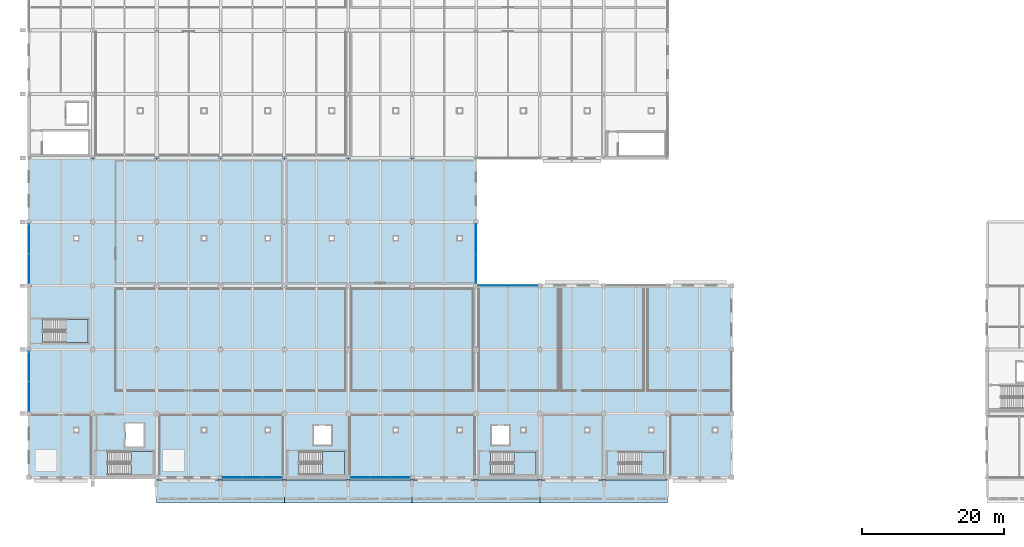
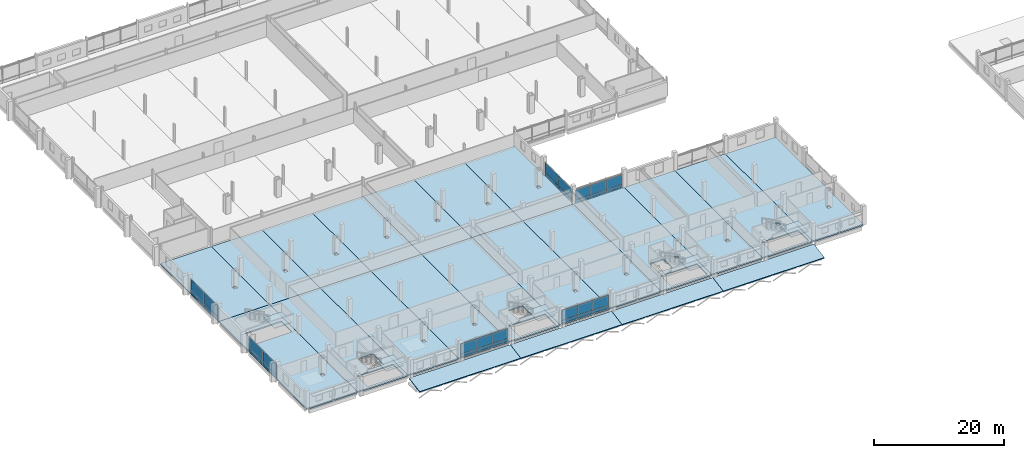
# One storey, part 92 of 132: 30 plates, 27 slabs, 11 elements without a shape of their own.
"""IFC4 building model written with IfcOpenShell, lengths in metres."""

from ifc_helpers import new_model, si_unit, direction, frame, origin, origin_2d, place, context, subcontext, project, spatial, polyline, rectangle, outline, extrude, material, layer, layer_set, type_object, element, aggregate, save


model = new_model("IFC4")

# Units and contexts
model_context = context("Model", 3, precision=1e-05, world=origin(), true_north=direction((0.0, 1.0)))
body_context = subcontext(model_context, "Body", "Model", "MODEL_VIEW")
ifc_project = project(units=[si_unit("LENGTHUNIT", "METRE"), si_unit("AREAUNIT", "SQUARE_METRE"), si_unit("VOLUMEUNIT", "CUBIC_METRE"), si_unit("PLANEANGLEUNIT", "RADIAN"), si_unit("MASSUNIT", "GRAM", prefix="KILO")], contexts=[model_context])

# Site, building, storey
site_placement = place(None, origin())
site = spatial("IfcSite", under=ifc_project, at=site_placement, CompositionType="ELEMENT")
building_placement = place(site_placement, origin())
building = spatial("IfcBuilding", under=site, at=building_placement, Name="Tharagai Park Tramway Depot", CompositionType="ELEMENT")
storey_placement = place(building_placement, frame((0.0, 0.0, 4.800048828125)))
storey = spatial("IfcBuildingStorey", under=building, at=storey_placement, Name="L01", CompositionType="ELEMENT", Elevation=4.800048828125)

# Curtain wall, plates
ifc_material_1 = material(Name="Anodised aluminium", Category="aluminium")
curtain_wall_type_1 = type_object("IfcCurtainWallType", Name="CW-01", PredefinedType="NOTDEFINED", material=ifc_material_1)
curtain_wall_1_placement = place(storey_placement, origin())
curtain_wall_1 = element("IfcCurtainWall", 1, at=curtain_wall_1_placement, inside=storey, type_object=curtain_wall_type_1, Name="L01 V4 Gothic Mullioned Curtain Wall CW-01", PredefinedType="NOTDEFINED")
ifc_layer_1 = layer(ifc_material_1, 0.0400390625)
ifc_layer_set_1 = layer_set([ifc_layer_1], Name="Anodised aluminium")
plate_type_1 = type_object("IfcPlateType", Name="CP-01", PredefinedType="CURTAIN_PANEL", material=ifc_layer_set_1)
plate_1_placement = place(storey_placement, frame((28.7099609375, 0.0, 0.080078125), z_axis=(0.0, 0.0, 1.0), x_axis=(1.0, 0.0, 0.0)))
plate_1 = element("IfcPlate", 2, at=plate_1_placement, type_object=plate_type_1, Name="L01 V4 Gothic Mullioned Curtain Wall Spandrel Panel 1.1", PredefinedType="CURTAIN_PANEL", context=body_context, shape_type="SweptSolid", body=[
    extrude(rectangle(XDim=2.77001953125, YDim=0.0400390625, at=origin_2d()), origin(), (0.0, 0.0, 1.0), 0.550048828125),
])
plate_2_placement = place(storey_placement, frame((31.5, 0.0, 0.080078125), z_axis=(0.0, 0.0, 1.0), x_axis=(1.0, 0.0, 0.0)))
plate_2 = element("IfcPlate", 3, at=plate_2_placement, type_object=plate_type_1, Name="L01 V4 Gothic Mullioned Curtain Wall Spandrel Panel 2.1", PredefinedType="CURTAIN_PANEL", context=body_context, shape_type="SweptSolid", body=[
    extrude(rectangle(XDim=2.77001953125, YDim=0.0400390625, at=origin_2d()), origin(), (0.0, 0.0, 1.0), 0.550048828125),
])
plate_3_placement = place(storey_placement, frame((34.2900390625, 0.0, 0.080078125), z_axis=(0.0, 0.0, 1.0), x_axis=(1.0, 0.0, 0.0)))
plate_3 = element("IfcPlate", 4, at=plate_3_placement, type_object=plate_type_1, Name="L01 V4 Gothic Mullioned Curtain Wall Spandrel Panel 3.1", PredefinedType="CURTAIN_PANEL", context=body_context, shape_type="SweptSolid", body=[
    extrude(rectangle(XDim=2.77001953125, YDim=0.0400390625, at=origin_2d()), origin(), (0.0, 0.0, 1.0), 0.550048828125),
])

curtain_wall_2_placement = place(storey_placement, origin())
curtain_wall_2 = element("IfcCurtainWall", 5, at=curtain_wall_2_placement, inside=storey, type_object=curtain_wall_type_1, Name="L01 V4 Gothic Mullioned Curtain Wall CW-01", PredefinedType="NOTDEFINED")
plate_4_placement = place(storey_placement, frame((46.7099609375, 0.0, 0.080078125), z_axis=(0.0, 0.0, 1.0), x_axis=(1.0, 0.0, 0.0)))
plate_4 = element("IfcPlate", 6, at=plate_4_placement, type_object=plate_type_1, Name="L01 V4 Gothic Mullioned Curtain Wall Spandrel Panel 1.1", PredefinedType="CURTAIN_PANEL", context=body_context, shape_type="SweptSolid", body=[
    extrude(rectangle(XDim=2.77001953125, YDim=0.0400390625, at=origin_2d()), origin(), (0.0, 0.0, 1.0), 0.550048828125),
])
plate_5_placement = place(storey_placement, frame((49.5, 0.0, 0.080078125), z_axis=(0.0, 0.0, 1.0), x_axis=(1.0, 0.0, 0.0)))
plate_5 = element("IfcPlate", 7, at=plate_5_placement, type_object=plate_type_1, Name="L01 V4 Gothic Mullioned Curtain Wall Spandrel Panel 2.1", PredefinedType="CURTAIN_PANEL", context=body_context, shape_type="SweptSolid", body=[
    extrude(rectangle(XDim=2.77001953125, YDim=0.0400390625, at=origin_2d()), origin(), (0.0, 0.0, 1.0), 0.550048828125),
])
plate_6_placement = place(storey_placement, frame((52.2900390625, 0.0, 0.080078125), z_axis=(0.0, 0.0, 1.0), x_axis=(1.0, 0.0, 0.0)))
plate_6 = element("IfcPlate", 8, at=plate_6_placement, type_object=plate_type_1, Name="L01 V4 Gothic Mullioned Curtain Wall Spandrel Panel 3.1", PredefinedType="CURTAIN_PANEL", context=body_context, shape_type="SweptSolid", body=[
    extrude(rectangle(XDim=2.77001953125, YDim=0.0400390625, at=origin_2d()), origin(), (0.0, 0.0, 1.0), 0.550048828125),
])

curtain_wall_3_placement = place(storey_placement, origin())
curtain_wall_3 = element("IfcCurtainWall", 9, at=curtain_wall_3_placement, inside=storey, type_object=curtain_wall_type_1, Name="L01 V4 Gothic Mullioned Curtain Wall CW-01", PredefinedType="NOTDEFINED")
plate_7_placement = place(storey_placement, frame((64.7099609375, 27.0, 0.080078125), z_axis=(0.0, 0.0, 1.0), x_axis=(1.0, 0.0, 0.0)))
plate_7 = element("IfcPlate", 10, at=plate_7_placement, type_object=plate_type_1, Name="L01 V4 Gothic Mullioned Curtain Wall Spandrel Panel 1.1", PredefinedType="CURTAIN_PANEL", context=body_context, shape_type="SweptSolid", body=[
    extrude(rectangle(XDim=2.77001953125, YDim=0.0400390625, at=origin_2d()), origin(), (0.0, 0.0, 1.0), 0.550048828125),
])
plate_8_placement = place(storey_placement, frame((67.5, 27.0, 0.080078125), z_axis=(0.0, 0.0, 1.0), x_axis=(1.0, 0.0, 0.0)))
plate_8 = element("IfcPlate", 11, at=plate_8_placement, type_object=plate_type_1, Name="L01 V4 Gothic Mullioned Curtain Wall Spandrel Panel 2.1", PredefinedType="CURTAIN_PANEL", context=body_context, shape_type="SweptSolid", body=[
    extrude(rectangle(XDim=2.77001953125, YDim=0.0400390625, at=origin_2d()), origin(), (0.0, 0.0, 1.0), 0.550048828125),
])
plate_9_placement = place(storey_placement, frame((70.2900390625, 27.0, 0.080078125), z_axis=(0.0, 0.0, 1.0), x_axis=(1.0, 0.0, 0.0)))
plate_9 = element("IfcPlate", 12, at=plate_9_placement, type_object=plate_type_1, Name="L01 V4 Gothic Mullioned Curtain Wall Spandrel Panel 3.1", PredefinedType="CURTAIN_PANEL", context=body_context, shape_type="SweptSolid", body=[
    extrude(rectangle(XDim=2.77001953125, YDim=0.0400390625, at=origin_2d()), origin(), (0.0, 0.0, 1.0), 0.550048828125),
])

curtain_wall_type_2 = type_object("IfcCurtainWallType", Name="CW-07", PredefinedType="NOTDEFINED", material=ifc_material_1)
curtain_wall_4_placement = place(storey_placement, origin())
curtain_wall_4 = element("IfcCurtainWall", 13, at=curtain_wall_4_placement, inside=storey, type_object=curtain_wall_type_2, Name="L01 V4 Side Mullioned Curtain Wall CW-07", PredefinedType="NOTDEFINED")
plate_10_placement = place(storey_placement, frame((0.0, 11.407470703125, 0.080078125), z_axis=(0.0, 0.0, 1.0), x_axis=(0.0, 1.0, 0.0)))
plate_10 = element("IfcPlate", 14, at=plate_10_placement, type_object=plate_type_1, Name="L01 V4 Side Mullioned Curtain Wall Spandrel Panel 1.1", PredefinedType="CURTAIN_PANEL", context=body_context, shape_type="SweptSolid", body=[
    extrude(rectangle(XDim=4.1650390625, YDim=0.0400390625, at=origin_2d()), origin(), (0.0, 0.0, 1.0), 0.550048828125),
])
plate_11_placement = place(storey_placement, frame((0.0, 15.592529296875, 0.080078125), z_axis=(0.0, 0.0, 1.0), x_axis=(0.0, 1.0, 0.0)))
plate_11 = element("IfcPlate", 15, at=plate_11_placement, type_object=plate_type_1, Name="L01 V4 Side Mullioned Curtain Wall Spandrel Panel 2.1", PredefinedType="CURTAIN_PANEL", context=body_context, shape_type="SweptSolid", body=[
    extrude(rectangle(XDim=4.1650390625, YDim=0.0400390625, at=origin_2d()), origin(), (0.0, 0.0, 1.0), 0.550048828125),
])

curtain_wall_5_placement = place(storey_placement, origin())
curtain_wall_5 = element("IfcCurtainWall", 16, at=curtain_wall_5_placement, inside=storey, type_object=curtain_wall_type_2, Name="L01 V4 Side Mullioned Curtain Wall CW-07", PredefinedType="NOTDEFINED")
plate_12_placement = place(storey_placement, frame((0.0, 29.407470703125, 0.080078125), z_axis=(0.0, 0.0, 1.0), x_axis=(0.0, 1.0, 0.0)))
plate_12 = element("IfcPlate", 17, at=plate_12_placement, type_object=plate_type_1, Name="L01 V4 Side Mullioned Curtain Wall Spandrel Panel 1.1", PredefinedType="CURTAIN_PANEL", context=body_context, shape_type="SweptSolid", body=[
    extrude(rectangle(XDim=4.1650390625, YDim=0.0400390625, at=origin_2d()), origin(), (0.0, 0.0, 1.0), 0.550048828125),
])
plate_13_placement = place(storey_placement, frame((0.0, 33.592529296875, 0.080078125), z_axis=(0.0, 0.0, 1.0), x_axis=(0.0, 1.0, 0.0)))
plate_13 = element("IfcPlate", 18, at=plate_13_placement, type_object=plate_type_1, Name="L01 V4 Side Mullioned Curtain Wall Spandrel Panel 2.1", PredefinedType="CURTAIN_PANEL", context=body_context, shape_type="SweptSolid", body=[
    extrude(rectangle(XDim=4.1650390625, YDim=0.0400390625, at=origin_2d()), origin(), (0.0, 0.0, 1.0), 0.550048828125),
])

curtain_wall_6_placement = place(storey_placement, origin())
curtain_wall_6 = element("IfcCurtainWall", 19, at=curtain_wall_6_placement, inside=storey, type_object=curtain_wall_type_2, Name="L01 V4 Side Mullioned Curtain Wall CW-07", PredefinedType="NOTDEFINED")
plate_14_placement = place(storey_placement, frame((63.0, 29.407470703125, 0.080078125), z_axis=(0.0, 0.0, 1.0), x_axis=(0.0, 1.0, 0.0)))
plate_14 = element("IfcPlate", 20, at=plate_14_placement, type_object=plate_type_1, Name="L01 V4 Side Mullioned Curtain Wall Spandrel Panel 1.1", PredefinedType="CURTAIN_PANEL", context=body_context, shape_type="SweptSolid", body=[
    extrude(rectangle(XDim=4.1650390625, YDim=0.0400390625, at=origin_2d()), origin(), (0.0, 0.0, 1.0), 0.550048828125),
])
plate_15_placement = place(storey_placement, frame((63.0, 33.592529296875, 0.080078125), z_axis=(0.0, 0.0, 1.0), x_axis=(0.0, 1.0, 0.0)))
plate_15 = element("IfcPlate", 21, at=plate_15_placement, type_object=plate_type_1, Name="L01 V4 Side Mullioned Curtain Wall Spandrel Panel 2.1", PredefinedType="CURTAIN_PANEL", context=body_context, shape_type="SweptSolid", body=[
    extrude(rectangle(XDim=4.1650390625, YDim=0.0400390625, at=origin_2d()), origin(), (0.0, 0.0, 1.0), 0.550048828125),
])

# Plate
ifc_material_2 = material(Name="Laminated solar-control glass", Category="glass")
ifc_layer_2 = layer(ifc_material_2, 0.028076171875)
ifc_layer_set_2 = layer_set([ifc_layer_2], Name="Laminated solar-control glass")
plate_type_2 = type_object("IfcPlateType", Name="CP-02", PredefinedType="CURTAIN_PANEL", material=ifc_layer_set_2)
plate_16_placement = place(storey_placement, frame((28.7099609375, 0.0, 0.669921875), z_axis=(0.0, 0.0, 1.0), x_axis=(1.0, 0.0, 0.0)))
plate_16 = element("IfcPlate", 22, at=plate_16_placement, type_object=plate_type_2, Name="L01 V4 Gothic Mullioned Curtain Wall Glazed Panel 1.2", PredefinedType="CURTAIN_PANEL", context=body_context, shape_type="SweptSolid", body=[
    extrude(rectangle(XDim=2.77001953125, YDim=0.028076171875, at=origin_2d()), origin(), (0.0, 0.0, 1.0), 1.8798828125),
])

plate_17_placement = place(storey_placement, frame((31.5, 0.0, 0.669921875), z_axis=(0.0, 0.0, 1.0), x_axis=(1.0, 0.0, 0.0)))
plate_17 = element("IfcPlate", 23, at=plate_17_placement, type_object=plate_type_2, Name="L01 V4 Gothic Mullioned Curtain Wall Glazed Panel 2.2", PredefinedType="CURTAIN_PANEL", context=body_context, shape_type="SweptSolid", body=[
    extrude(rectangle(XDim=2.77001953125, YDim=0.028076171875, at=origin_2d()), origin(), (0.0, 0.0, 1.0), 1.8798828125),
])

plate_18_placement = place(storey_placement, frame((34.2900390625, 0.0, 0.669921875), z_axis=(0.0, 0.0, 1.0), x_axis=(1.0, 0.0, 0.0)))
plate_18 = element("IfcPlate", 24, at=plate_18_placement, type_object=plate_type_2, Name="L01 V4 Gothic Mullioned Curtain Wall Glazed Panel 3.2", PredefinedType="CURTAIN_PANEL", context=body_context, shape_type="SweptSolid", body=[
    extrude(rectangle(XDim=2.77001953125, YDim=0.028076171875, at=origin_2d()), origin(), (0.0, 0.0, 1.0), 1.8798828125),
])

aggregate(curtain_wall_1, [plate_1, plate_16, plate_2, plate_17, plate_3, plate_18])

plate_19_placement = place(storey_placement, frame((46.7099609375, 0.0, 0.669921875), z_axis=(0.0, 0.0, 1.0), x_axis=(1.0, 0.0, 0.0)))
plate_19 = element("IfcPlate", 25, at=plate_19_placement, type_object=plate_type_2, Name="L01 V4 Gothic Mullioned Curtain Wall Glazed Panel 1.2", PredefinedType="CURTAIN_PANEL", context=body_context, shape_type="SweptSolid", body=[
    extrude(rectangle(XDim=2.77001953125, YDim=0.028076171875, at=origin_2d()), origin(), (0.0, 0.0, 1.0), 1.8798828125),
])

plate_20_placement = place(storey_placement, frame((49.5, 0.0, 0.669921875), z_axis=(0.0, 0.0, 1.0), x_axis=(1.0, 0.0, 0.0)))
plate_20 = element("IfcPlate", 26, at=plate_20_placement, type_object=plate_type_2, Name="L01 V4 Gothic Mullioned Curtain Wall Glazed Panel 2.2", PredefinedType="CURTAIN_PANEL", context=body_context, shape_type="SweptSolid", body=[
    extrude(rectangle(XDim=2.77001953125, YDim=0.028076171875, at=origin_2d()), origin(), (0.0, 0.0, 1.0), 1.8798828125),
])

plate_21_placement = place(storey_placement, frame((52.2900390625, 0.0, 0.669921875), z_axis=(0.0, 0.0, 1.0), x_axis=(1.0, 0.0, 0.0)))
plate_21 = element("IfcPlate", 27, at=plate_21_placement, type_object=plate_type_2, Name="L01 V4 Gothic Mullioned Curtain Wall Glazed Panel 3.2", PredefinedType="CURTAIN_PANEL", context=body_context, shape_type="SweptSolid", body=[
    extrude(rectangle(XDim=2.77001953125, YDim=0.028076171875, at=origin_2d()), origin(), (0.0, 0.0, 1.0), 1.8798828125),
])

aggregate(curtain_wall_2, [plate_4, plate_19, plate_5, plate_20, plate_6, plate_21])

plate_22_placement = place(storey_placement, frame((64.7099609375, 27.0, 0.669921875), z_axis=(0.0, 0.0, 1.0), x_axis=(1.0, 0.0, 0.0)))
plate_22 = element("IfcPlate", 28, at=plate_22_placement, type_object=plate_type_2, Name="L01 V4 Gothic Mullioned Curtain Wall Glazed Panel 1.2", PredefinedType="CURTAIN_PANEL", context=body_context, shape_type="SweptSolid", body=[
    extrude(rectangle(XDim=2.77001953125, YDim=0.028076171875, at=origin_2d()), origin(), (0.0, 0.0, 1.0), 1.8798828125),
])

plate_23_placement = place(storey_placement, frame((67.5, 27.0, 0.669921875), z_axis=(0.0, 0.0, 1.0), x_axis=(1.0, 0.0, 0.0)))
plate_23 = element("IfcPlate", 29, at=plate_23_placement, type_object=plate_type_2, Name="L01 V4 Gothic Mullioned Curtain Wall Glazed Panel 2.2", PredefinedType="CURTAIN_PANEL", context=body_context, shape_type="SweptSolid", body=[
    extrude(rectangle(XDim=2.77001953125, YDim=0.028076171875, at=origin_2d()), origin(), (0.0, 0.0, 1.0), 1.8798828125),
])

plate_24_placement = place(storey_placement, frame((70.2900390625, 27.0, 0.669921875), z_axis=(0.0, 0.0, 1.0), x_axis=(1.0, 0.0, 0.0)))
plate_24 = element("IfcPlate", 30, at=plate_24_placement, type_object=plate_type_2, Name="L01 V4 Gothic Mullioned Curtain Wall Glazed Panel 3.2", PredefinedType="CURTAIN_PANEL", context=body_context, shape_type="SweptSolid", body=[
    extrude(rectangle(XDim=2.77001953125, YDim=0.028076171875, at=origin_2d()), origin(), (0.0, 0.0, 1.0), 1.8798828125),
])

aggregate(curtain_wall_3, [plate_7, plate_22, plate_8, plate_23, plate_9, plate_24])

plate_25_placement = place(storey_placement, frame((0.0, 11.407470703125, 0.669921875), z_axis=(0.0, 0.0, 1.0), x_axis=(0.0, 1.0, 0.0)))
plate_25 = element("IfcPlate", 31, at=plate_25_placement, type_object=plate_type_2, Name="L01 V4 Side Mullioned Curtain Wall Glazed Panel 1.2", PredefinedType="CURTAIN_PANEL", context=body_context, shape_type="SweptSolid", body=[
    extrude(rectangle(XDim=4.1650390625, YDim=0.028076171875, at=origin_2d()), origin(), (0.0, 0.0, 1.0), 2.080078125),
])

plate_26_placement = place(storey_placement, frame((0.0, 15.592529296875, 0.669921875), z_axis=(0.0, 0.0, 1.0), x_axis=(0.0, 1.0, 0.0)))
plate_26 = element("IfcPlate", 32, at=plate_26_placement, type_object=plate_type_2, Name="L01 V4 Side Mullioned Curtain Wall Glazed Panel 2.2", PredefinedType="CURTAIN_PANEL", context=body_context, shape_type="SweptSolid", body=[
    extrude(rectangle(XDim=4.1650390625, YDim=0.028076171875, at=origin_2d()), origin(), (0.0, 0.0, 1.0), 2.080078125),
])

aggregate(curtain_wall_4, [plate_10, plate_25, plate_11, plate_26])

plate_27_placement = place(storey_placement, frame((0.0, 29.407470703125, 0.669921875), z_axis=(0.0, 0.0, 1.0), x_axis=(0.0, 1.0, 0.0)))
plate_27 = element("IfcPlate", 33, at=plate_27_placement, type_object=plate_type_2, Name="L01 V4 Side Mullioned Curtain Wall Glazed Panel 1.2", PredefinedType="CURTAIN_PANEL", context=body_context, shape_type="SweptSolid", body=[
    extrude(rectangle(XDim=4.1650390625, YDim=0.028076171875, at=origin_2d()), origin(), (0.0, 0.0, 1.0), 2.080078125),
])

plate_28_placement = place(storey_placement, frame((0.0, 33.592529296875, 0.669921875), z_axis=(0.0, 0.0, 1.0), x_axis=(0.0, 1.0, 0.0)))
plate_28 = element("IfcPlate", 34, at=plate_28_placement, type_object=plate_type_2, Name="L01 V4 Side Mullioned Curtain Wall Glazed Panel 2.2", PredefinedType="CURTAIN_PANEL", context=body_context, shape_type="SweptSolid", body=[
    extrude(rectangle(XDim=4.1650390625, YDim=0.028076171875, at=origin_2d()), origin(), (0.0, 0.0, 1.0), 2.080078125),
])

aggregate(curtain_wall_5, [plate_12, plate_27, plate_13, plate_28])

plate_29_placement = place(storey_placement, frame((63.0, 29.407470703125, 0.669921875), z_axis=(0.0, 0.0, 1.0), x_axis=(0.0, 1.0, 0.0)))
plate_29 = element("IfcPlate", 35, at=plate_29_placement, type_object=plate_type_2, Name="L01 V4 Side Mullioned Curtain Wall Glazed Panel 1.2", PredefinedType="CURTAIN_PANEL", context=body_context, shape_type="SweptSolid", body=[
    extrude(rectangle(XDim=4.1650390625, YDim=0.028076171875, at=origin_2d()), origin(), (0.0, 0.0, 1.0), 1.93994140625),
])

plate_30_placement = place(storey_placement, frame((63.0, 33.592529296875, 0.669921875), z_axis=(0.0, 0.0, 1.0), x_axis=(0.0, 1.0, 0.0)))
plate_30 = element("IfcPlate", 36, at=plate_30_placement, type_object=plate_type_2, Name="L01 V4 Side Mullioned Curtain Wall Glazed Panel 2.2", PredefinedType="CURTAIN_PANEL", context=body_context, shape_type="SweptSolid", body=[
    extrude(rectangle(XDim=4.1650390625, YDim=0.028076171875, at=origin_2d()), origin(), (0.0, 0.0, 1.0), 1.93994140625),
])

aggregate(curtain_wall_6, [plate_14, plate_29, plate_15, plate_30])

# Stair, slab
ifc_material_3 = material(Name="Concrete M35", Category="concrete")
stair_type = type_object("IfcStairType", Name="STT-02", PredefinedType="HALF_TURN_STAIR", material=ifc_material_3)
stair_1_placement = place(storey_placement, origin())
stair_1 = element("IfcStair", 37, at=stair_1_placement, inside=storey, type_object=stair_type, Name="L01 Protected Exit Stair ST-01", PredefinedType="HALF_TURN_STAIR")
ifc_layer_3 = layer(ifc_material_3, 0.199951171875)
ifc_layer_set_3 = layer_set([ifc_layer_3], Name="Concrete M35")
slab_type_1 = type_object("IfcSlabType", Name="LN-01", PredefinedType="LANDING", material=ifc_layer_set_3)
slab_1_placement = place(storey_placement, frame((0.0, 0.0, 1.599853515625)))
slab_1 = element("IfcSlab", 38, at=slab_1_placement, type_object=slab_type_1, Name="ST-01 landing 1", PredefinedType="LANDING", context=body_context, shape_type="SweptSolid", body=[
    extrude(outline(polyline([(14.3701171875, 0.39990234375), (17.47998046875, 0.39990234375), (17.47998046875, 3.64990234375), (14.3701171875, 3.64990234375), (14.3701171875, 0.39990234375)])), origin(), (0.0, 0.0, 1.0), 0.2001953125),
])
aggregate(stair_1, [slab_1])

stair_2_placement = place(storey_placement, origin())
stair_2 = element("IfcStair", 39, at=stair_2_placement, inside=storey, type_object=stair_type, Name="L01 Protected Exit Stair ST-02", PredefinedType="HALF_TURN_STAIR")
slab_2_placement = place(storey_placement, frame((0.0, 0.0, 1.599853515625)))
slab_2 = element("IfcSlab", 40, at=slab_2_placement, type_object=slab_type_1, Name="ST-02 landing 1", PredefinedType="LANDING", context=body_context, shape_type="SweptSolid", body=[
    extrude(outline(polyline([(41.3701171875, 0.39990234375), (44.47998046875, 0.39990234375), (44.47998046875, 3.64990234375), (41.3701171875, 3.64990234375), (41.3701171875, 0.39990234375)])), origin(), (0.0, 0.0, 1.0), 0.2001953125),
])
aggregate(stair_2, [slab_2])

stair_3_placement = place(storey_placement, origin())
stair_3 = element("IfcStair", 41, at=stair_3_placement, inside=storey, type_object=stair_type, Name="L01 Protected Exit Stair ST-03", PredefinedType="HALF_TURN_STAIR")
slab_3_placement = place(storey_placement, frame((0.0, 0.0, 1.599853515625)))
slab_3 = element("IfcSlab", 42, at=slab_3_placement, type_object=slab_type_1, Name="ST-03 landing 1", PredefinedType="LANDING", context=body_context, shape_type="SweptSolid", body=[
    extrude(outline(polyline([(5.25, 19.0), (8.360107421875, 19.0), (8.360107421875, 22.25), (5.25, 22.25), (5.25, 19.0)])), origin(), (0.0, 0.0, 1.0), 0.2001953125),
])
aggregate(stair_3, [slab_3])

stair_4_placement = place(storey_placement, origin())
stair_4 = element("IfcStair", 43, at=stair_4_placement, inside=storey, type_object=stair_type, Name="L01 Protected Exit Stair ST-04", PredefinedType="HALF_TURN_STAIR")
slab_4_placement = place(storey_placement, frame((0.0, 0.0, 1.599853515625)))
slab_4 = element("IfcSlab", 44, at=slab_4_placement, type_object=slab_type_1, Name="ST-04 landing 1", PredefinedType="LANDING", context=body_context, shape_type="SweptSolid", body=[
    extrude(outline(polyline([(68.340087890625, 0.39990234375), (71.47998046875, 0.39990234375), (71.47998046875, 3.590087890625), (68.340087890625, 3.590087890625), (68.340087890625, 0.39990234375)])), origin(), (0.0, 0.0, 1.0), 0.2001953125),
])
aggregate(stair_4, [slab_4])

stair_5_placement = place(storey_placement, origin())
stair_5 = element("IfcStair", 45, at=stair_5_placement, inside=storey, type_object=stair_type, Name="L01 Protected Exit Stair ST-05", PredefinedType="HALF_TURN_STAIR")
slab_5_placement = place(storey_placement, frame((0.0, 0.0, 1.599853515625)))
slab_5 = element("IfcSlab", 46, at=slab_5_placement, type_object=slab_type_1, Name="ST-05 landing 1", PredefinedType="LANDING", context=body_context, shape_type="SweptSolid", body=[
    extrude(outline(polyline([(86.340087890625, 0.39990234375), (89.47998046875, 0.39990234375), (89.47998046875, 3.590087890625), (86.340087890625, 3.590087890625), (86.340087890625, 0.39990234375)])), origin(), (0.0, 0.0, 1.0), 0.2001953125),
])
aggregate(stair_5, [slab_5])

# Slabs
ifc_layer_4 = layer(ifc_material_3, 0.169921875)
ifc_layer_set_4 = layer_set([ifc_layer_4], Name="Concrete M35")
slab_type_2 = type_object("IfcSlabType", Name="RS-02", PredefinedType="ROOF", material=ifc_layer_set_4)
for number, where, z_axis, x_axis, name in (
    (47, (18.0, -3.60009765625, -0.9599609375), (0.0, -0.175637063894, 0.984454987182), (1.0, 0.0, 0.0), "Gothic Park Cloister Sloped Monsoon Roof 1"),
    (48, (36.0, -3.60009765625, -0.9599609375), (0.0, -0.175637063894, 0.984454987182), (1.0, 0.0, 0.0), "Gothic Park Cloister Sloped Monsoon Roof 2"),
    (49, (54.0, -3.60009765625, -0.9599609375), (0.0, -0.175637063894, 0.984454987182), (1.0, 0.0, 0.0), "Gothic Park Cloister Sloped Monsoon Roof 3"),
    (50, (72.0, -3.60009765625, -0.9599609375), (0.0, -0.175637063894, 0.984454987182), (1.0, 0.0, 0.0), "Gothic Park Cloister Sloped Monsoon Roof 4"),
):
    element("IfcSlab", number, at=place(storey_placement, frame(where, z_axis=z_axis, x_axis=x_axis)), inside=storey, type_object=slab_type_2, Name=name, PredefinedType="ROOF", context=body_context, shape_type="SweptSolid", body=[
        extrude(outline(polyline([(0.0, 0.0), (18.0, 0.0), (18.0, 3.3013190469017357), (0.0, 3.3013190469017357), (0.0, 0.0)])), origin(), (0.0, 0.0, -1.0), 0.169921875),
    ])
ifc_layer_5 = layer(ifc_material_3, 0.25)
ifc_layer_set_5 = layer_set([ifc_layer_5], Name="Concrete M35")
slab_type_3 = type_object("IfcSlabType", Name="SB-03", PredefinedType="FLOOR", material=ifc_layer_set_5)
slab_6_placement = place(storey_placement, frame((0.0, 0.0, -0.25)))
element("IfcSlab", 51, at=slab_6_placement, inside=storey, type_object=slab_type_3, Name="L01 V4 Suspended Floor Slab Bay 1", PredefinedType="FLOOR", context=body_context, shape_type="SweptSolid", body=[
    extrude(outline(polyline([(0.0, 0.0), (9.0, 0.0), (9.0, 27.0), (0.0, 27.0), (0.0, 0.0)]), holes=[polyline([(1.949951171875, 19.0), (8.360107421875, 19.0), (8.360107421875, 22.25), (1.949951171875, 22.25), (1.949951171875, 19.0)]), polyline([(6.39990234375, 6.39990234375), (6.949951171875, 6.39990234375), (6.949951171875, 6.949951171875), (6.39990234375, 6.949951171875), (6.39990234375, 6.39990234375)])]), origin(), (0.0, 0.0, 1.0), 0.25),
])
slab_7_placement = place(storey_placement, frame((0.0, 0.0, -0.25)))
element("IfcSlab", 52, at=slab_7_placement, inside=storey, type_object=slab_type_3, Name="L01 V4 Suspended Floor Slab Bay 2", PredefinedType="FLOOR", context=body_context, shape_type="SweptSolid", body=[
    extrude(outline(polyline([(9.0, 0.0), (18.0, 0.0), (18.0, 27.0), (9.0, 27.0), (9.0, 0.0)]), holes=[polyline([(11.070068359375, 0.39990234375), (17.47998046875, 0.39990234375), (17.47998046875, 3.64990234375), (11.070068359375, 3.64990234375), (11.070068359375, 0.39990234375)]), polyline([(13.60009765625, 4.300048828125), (16.199951171875, 4.300048828125), (16.199951171875, 7.60009765625), (13.60009765625, 7.60009765625), (13.60009765625, 4.300048828125)])]), origin(), (0.0, 0.0, 1.0), 0.25),
])
slab_8_placement = place(storey_placement, frame((0.0, 0.0, -0.25)))
element("IfcSlab", 53, at=slab_8_placement, inside=storey, type_object=slab_type_3, Name="L01 V4 Suspended Floor Slab Bay 3", PredefinedType="FLOOR", context=body_context, shape_type="SweptSolid", body=[
    extrude(outline(polyline([(18.0, 0.0), (27.0, 0.0), (27.0, 27.0), (18.0, 27.0), (18.0, 0.0)]), holes=[polyline([(24.39990234375, 6.39990234375), (24.949951171875, 6.39990234375), (24.949951171875, 6.949951171875), (24.39990234375, 6.949951171875), (24.39990234375, 6.39990234375)])]), origin(), (0.0, 0.0, 1.0), 0.25),
])
slab_9_placement = place(storey_placement, frame((0.0, 0.0, -0.25)))
element("IfcSlab", 54, at=slab_9_placement, inside=storey, type_object=slab_type_3, Name="L01 V4 Suspended Floor Slab Bay 4", PredefinedType="FLOOR", context=body_context, shape_type="SweptSolid", body=[
    extrude(outline(polyline([(27.0, 0.0), (36.0, 0.0), (36.0, 27.0), (27.0, 27.0), (27.0, 0.0)]), holes=[polyline([(33.39990234375, 6.39990234375), (33.949951171875, 6.39990234375), (33.949951171875, 6.949951171875), (33.39990234375, 6.949951171875), (33.39990234375, 6.39990234375)])]), origin(), (0.0, 0.0, 1.0), 0.25),
])
slab_10_placement = place(storey_placement, frame((0.0, 0.0, -0.25)))
element("IfcSlab", 55, at=slab_10_placement, inside=storey, type_object=slab_type_3, Name="L01 V4 Suspended Floor Slab Bay 5", PredefinedType="FLOOR", context=body_context, shape_type="SweptSolid", body=[
    extrude(outline(polyline([(36.0, 0.0), (45.0, 0.0), (45.0, 27.0), (36.0, 27.0), (36.0, 0.0)]), holes=[polyline([(38.070068359375, 0.39990234375), (44.47998046875, 0.39990234375), (44.47998046875, 3.64990234375), (38.070068359375, 3.64990234375), (38.070068359375, 0.39990234375)]), polyline([(40.10009765625, 4.60009765625), (42.60009765625, 4.60009765625), (42.60009765625, 7.300048828125), (40.10009765625, 7.300048828125), (40.10009765625, 4.60009765625)])]), origin(), (0.0, 0.0, 1.0), 0.25),
])
slab_11_placement = place(storey_placement, frame((0.0, 0.0, -0.25)))
element("IfcSlab", 56, at=slab_11_placement, inside=storey, type_object=slab_type_3, Name="L01 V4 Suspended Floor Slab Bay 6", PredefinedType="FLOOR", context=body_context, shape_type="SweptSolid", body=[
    extrude(outline(polyline([(45.0, 0.0), (54.0, 0.0), (54.0, 27.0), (45.0, 27.0), (45.0, 0.0)]), holes=[polyline([(51.39990234375, 6.39990234375), (51.949951171875, 6.39990234375), (51.949951171875, 6.949951171875), (51.39990234375, 6.949951171875), (51.39990234375, 6.39990234375)])]), origin(), (0.0, 0.0, 1.0), 0.25),
])
slab_12_placement = place(storey_placement, frame((0.0, 0.0, -0.25)))
element("IfcSlab", 57, at=slab_12_placement, inside=storey, type_object=slab_type_3, Name="L01 V4 Suspended Floor Slab Bay 7", PredefinedType="FLOOR", context=body_context, shape_type="SweptSolid", body=[
    extrude(outline(polyline([(54.0, 0.0), (63.0, 0.0), (63.0, 27.0), (54.0, 27.0), (54.0, 0.0)]), holes=[polyline([(60.39990234375, 6.39990234375), (60.949951171875, 6.39990234375), (60.949951171875, 6.949951171875), (60.39990234375, 6.949951171875), (60.39990234375, 6.39990234375)])]), origin(), (0.0, 0.0, 1.0), 0.25),
])
slab_13_placement = place(storey_placement, frame((0.0, 0.0, -0.25)))
element("IfcSlab", 58, at=slab_13_placement, inside=storey, type_object=slab_type_3, Name="L01 V4 Suspended Floor Slab Bay 8", PredefinedType="FLOOR", context=body_context, shape_type="SweptSolid", body=[
    extrude(outline(polyline([(63.0, 0.0), (72.0, 0.0), (72.0, 27.0), (63.0, 27.0), (63.0, 0.0)]), holes=[polyline([(65.0400390625, 0.39990234375), (71.47998046875, 0.39990234375), (71.47998046875, 3.590087890625), (65.0400390625, 3.590087890625), (65.0400390625, 0.39990234375)]), polyline([(65.199951171875, 4.60009765625), (67.699951171875, 4.60009765625), (67.699951171875, 7.300048828125), (65.199951171875, 7.300048828125), (65.199951171875, 4.60009765625)]), polyline([(69.39990234375, 6.39990234375), (69.949951171875, 6.39990234375), (69.949951171875, 6.949951171875), (69.39990234375, 6.949951171875), (69.39990234375, 6.39990234375)])]), origin(), (0.0, 0.0, 1.0), 0.25),
])
slab_14_placement = place(storey_placement, frame((0.0, 0.0, -0.25)))
element("IfcSlab", 59, at=slab_14_placement, inside=storey, type_object=slab_type_3, Name="L01 V4 Suspended Floor Slab Bay 9", PredefinedType="FLOOR", context=body_context, shape_type="SweptSolid", body=[
    extrude(outline(polyline([(72.0, 0.0), (81.0, 0.0), (81.0, 27.0), (72.0, 27.0), (72.0, 0.0)]), holes=[polyline([(78.39990234375, 6.39990234375), (78.949951171875, 6.39990234375), (78.949951171875, 6.949951171875), (78.39990234375, 6.949951171875), (78.39990234375, 6.39990234375)])]), origin(), (0.0, 0.0, 1.0), 0.25),
])
slab_15_placement = place(storey_placement, frame((0.0, 0.0, -0.25)))
element("IfcSlab", 60, at=slab_15_placement, inside=storey, type_object=slab_type_3, Name="L01 V4 Suspended Floor Slab Bay 10", PredefinedType="FLOOR", context=body_context, shape_type="SweptSolid", body=[
    extrude(outline(polyline([(81.0, 0.0), (90.0, 0.0), (90.0, 27.0), (81.0, 27.0), (81.0, 0.0)]), holes=[polyline([(83.0400390625, 0.39990234375), (89.47998046875, 0.39990234375), (89.47998046875, 3.590087890625), (83.0400390625, 3.590087890625), (83.0400390625, 0.39990234375)]), polyline([(87.39990234375, 6.39990234375), (87.949951171875, 6.39990234375), (87.949951171875, 6.949951171875), (87.39990234375, 6.949951171875), (87.39990234375, 6.39990234375)])]), origin(), (0.0, 0.0, 1.0), 0.25),
])
slab_16_placement = place(storey_placement, frame((0.0, 0.0, -0.25)))
element("IfcSlab", 61, at=slab_16_placement, inside=storey, type_object=slab_type_3, Name="L01 V4 Suspended Floor Slab Bay 11", PredefinedType="FLOOR", context=body_context, shape_type="SweptSolid", body=[
    extrude(outline(polyline([(90.0, 0.0), (99.0, 0.0), (99.0, 27.0), (90.0, 27.0), (90.0, 0.0)]), holes=[polyline([(96.39990234375, 6.39990234375), (96.949951171875, 6.39990234375), (96.949951171875, 6.949951171875), (96.39990234375, 6.949951171875), (96.39990234375, 6.39990234375)])]), origin(), (0.0, 0.0, 1.0), 0.25),
])
slab_17_placement = place(storey_placement, frame((0.0, 0.0, -0.25)))
element("IfcSlab", 62, at=slab_17_placement, inside=storey, type_object=slab_type_3, Name="L01 V4 Suspended Floor Slab Bay 1", PredefinedType="FLOOR", context=body_context, shape_type="SweptSolid", body=[
    extrude(outline(polyline([(0.0, 27.0), (9.0, 27.0), (9.0, 45.0), (0.0, 45.0), (0.0, 27.0)]), holes=[polyline([(6.39990234375, 33.39990234375), (6.949951171875, 33.39990234375), (6.949951171875, 33.949951171875), (6.39990234375, 33.949951171875), (6.39990234375, 33.39990234375)])]), origin(), (0.0, 0.0, 1.0), 0.25),
])
slab_18_placement = place(storey_placement, frame((0.0, 0.0, -0.25)))
element("IfcSlab", 63, at=slab_18_placement, inside=storey, type_object=slab_type_3, Name="L01 V4 Suspended Floor Slab Bay 2", PredefinedType="FLOOR", context=body_context, shape_type="SweptSolid", body=[
    extrude(outline(polyline([(9.0, 27.0), (18.0, 27.0), (18.0, 45.0), (9.0, 45.0), (9.0, 27.0)]), holes=[polyline([(15.39990234375, 33.39990234375), (15.949951171875, 33.39990234375), (15.949951171875, 33.949951171875), (15.39990234375, 33.949951171875), (15.39990234375, 33.39990234375)])]), origin(), (0.0, 0.0, 1.0), 0.25),
])
slab_19_placement = place(storey_placement, frame((0.0, 0.0, -0.25)))
element("IfcSlab", 64, at=slab_19_placement, inside=storey, type_object=slab_type_3, Name="L01 V4 Suspended Floor Slab Bay 3", PredefinedType="FLOOR", context=body_context, shape_type="SweptSolid", body=[
    extrude(outline(polyline([(18.0, 27.0), (27.0, 27.0), (27.0, 45.0), (18.0, 45.0), (18.0, 27.0)]), holes=[polyline([(24.39990234375, 33.39990234375), (24.949951171875, 33.39990234375), (24.949951171875, 33.949951171875), (24.39990234375, 33.949951171875), (24.39990234375, 33.39990234375)])]), origin(), (0.0, 0.0, 1.0), 0.25),
])
slab_20_placement = place(storey_placement, frame((0.0, 0.0, -0.25)))
element("IfcSlab", 65, at=slab_20_placement, inside=storey, type_object=slab_type_3, Name="L01 V4 Suspended Floor Slab Bay 4", PredefinedType="FLOOR", context=body_context, shape_type="SweptSolid", body=[
    extrude(outline(polyline([(27.0, 27.0), (36.0, 27.0), (36.0, 45.0), (27.0, 45.0), (27.0, 27.0)]), holes=[polyline([(33.39990234375, 33.39990234375), (33.949951171875, 33.39990234375), (33.949951171875, 33.949951171875), (33.39990234375, 33.949951171875), (33.39990234375, 33.39990234375)])]), origin(), (0.0, 0.0, 1.0), 0.25),
])
slab_21_placement = place(storey_placement, frame((0.0, 0.0, -0.25)))
element("IfcSlab", 66, at=slab_21_placement, inside=storey, type_object=slab_type_3, Name="L01 V4 Suspended Floor Slab Bay 5", PredefinedType="FLOOR", context=body_context, shape_type="SweptSolid", body=[
    extrude(outline(polyline([(36.0, 27.0), (45.0, 27.0), (45.0, 45.0), (36.0, 45.0), (36.0, 27.0)]), holes=[polyline([(42.39990234375, 33.39990234375), (42.949951171875, 33.39990234375), (42.949951171875, 33.949951171875), (42.39990234375, 33.949951171875), (42.39990234375, 33.39990234375)])]), origin(), (0.0, 0.0, 1.0), 0.25),
])
slab_22_placement = place(storey_placement, frame((0.0, 0.0, -0.25)))
element("IfcSlab", 67, at=slab_22_placement, inside=storey, type_object=slab_type_3, Name="L01 V4 Suspended Floor Slab Bay 6", PredefinedType="FLOOR", context=body_context, shape_type="SweptSolid", body=[
    extrude(outline(polyline([(45.0, 27.0), (54.0, 27.0), (54.0, 45.0), (45.0, 45.0), (45.0, 27.0)]), holes=[polyline([(51.39990234375, 33.39990234375), (51.949951171875, 33.39990234375), (51.949951171875, 33.949951171875), (51.39990234375, 33.949951171875), (51.39990234375, 33.39990234375)])]), origin(), (0.0, 0.0, 1.0), 0.25),
])
slab_23_placement = place(storey_placement, frame((0.0, 0.0, -0.25)))
element("IfcSlab", 68, at=slab_23_placement, inside=storey, type_object=slab_type_3, Name="L01 V4 Suspended Floor Slab Bay 7", PredefinedType="FLOOR", context=body_context, shape_type="SweptSolid", body=[
    extrude(outline(polyline([(54.0, 27.0), (63.0, 27.0), (63.0, 45.0), (54.0, 45.0), (54.0, 27.0)]), holes=[polyline([(60.39990234375, 33.39990234375), (60.949951171875, 33.39990234375), (60.949951171875, 33.949951171875), (60.39990234375, 33.949951171875), (60.39990234375, 33.39990234375)])]), origin(), (0.0, 0.0, 1.0), 0.25),
])

save(model, "model.ifc")
